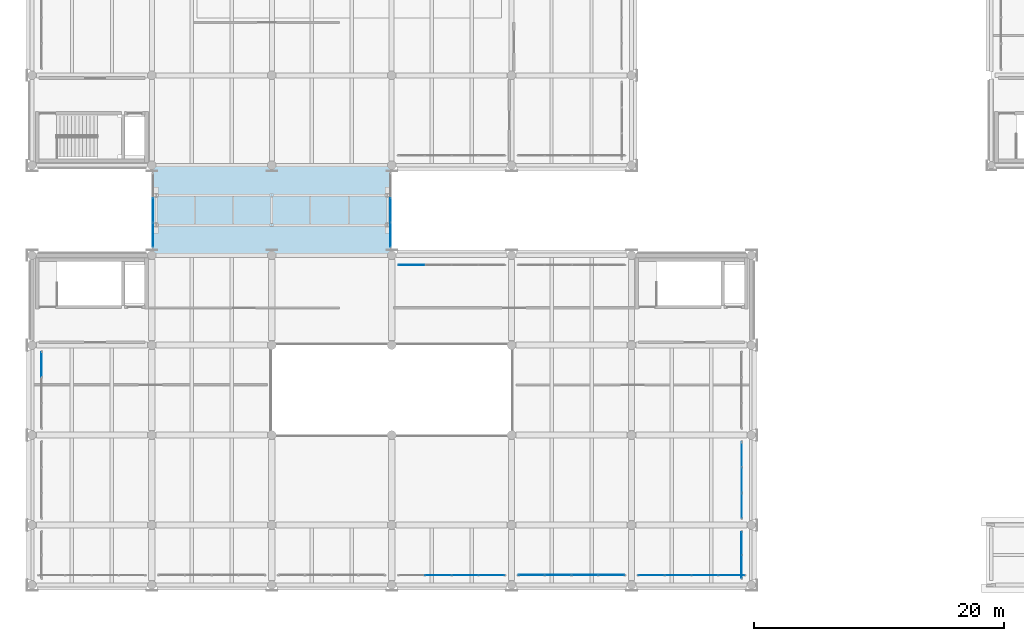
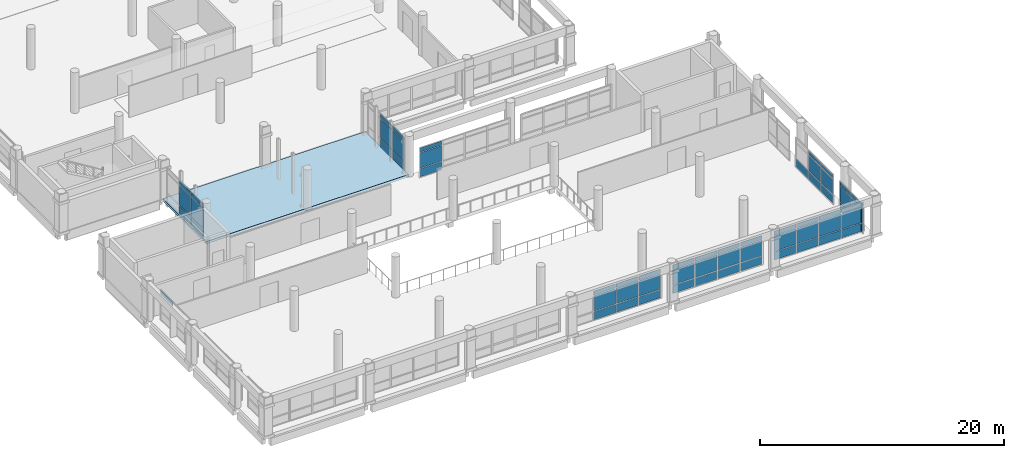
# One storey, part 121 of 180: 62 plates, 1 slab, 9 elements without a shape of their own.
"""IFC4 building model written with IfcOpenShell, lengths in metres."""

from ifc_helpers import new_model, si_unit, direction, frame, origin, origin_2d, place, context, subcontext, project, spatial, polyline, rectangle, outline, extrude, material, layer, layer_set, type_object, element, aggregate, save


model = new_model("IFC4")

# Units and contexts
model_context = context("Model", 3, precision=1e-05, world=origin(), true_north=direction((0.0, 1.0)))
body_context = subcontext(model_context, "Body", "Model", "MODEL_VIEW")
ifc_project = project(units=[si_unit("LENGTHUNIT", "METRE"), si_unit("AREAUNIT", "SQUARE_METRE"), si_unit("VOLUMEUNIT", "CUBIC_METRE"), si_unit("PLANEANGLEUNIT", "RADIAN"), si_unit("MASSUNIT", "GRAM", prefix="KILO")], contexts=[model_context])

# Site, building, storey
site_placement = place(None, origin())
site = spatial("IfcSite", under=ifc_project, at=site_placement, CompositionType="ELEMENT")
building_placement = place(site_placement, origin())
building = spatial("IfcBuilding", under=site, at=building_placement, Name="Asteropetra Specialist Clinic", CompositionType="ELEMENT")
storey_placement = place(building_placement, frame((0.0, 0.0, 4.419921875)))
storey = spatial("IfcBuildingStorey", under=building, at=storey_placement, Name="L01", CompositionType="ELEMENT", Elevation=4.419921875)

# Curtain wall, plates
ifc_material_1 = material(Name="Aluminium and low-E glass", Category="aluminium")
ifc_layer_1 = layer(ifc_material_1, 0.135009765625)
ifc_layer_set_1 = layer_set([ifc_layer_1], Name="Aluminium and low-E glass")
curtain_wall_type_1 = type_object("IfcCurtainWallType", Name="CW-SYS-09", PredefinedType="USERDEFINED", material=ifc_layer_set_1)
curtain_wall_1_placement = place(storey_placement, origin())
curtain_wall_1 = element("IfcCurtainWall", 1, at=curtain_wall_1_placement, inside=storey, type_object=curtain_wall_type_1, Name="Curtain Wall CW-136", ObjectType="STICK GLAZED COLONNADE", PredefinedType="USERDEFINED")
ifc_material_2 = material(Name="Low-E double glazing", Category="glass")
ifc_layer_2 = layer(ifc_material_2, 0.028076171875)
ifc_layer_set_2 = layer_set([ifc_layer_2], Name="Low-E double glazing")
plate_type_1 = type_object("IfcPlateType", Name="CWP-GLZ-28", PredefinedType="CURTAIN_PANEL", material=ifc_layer_set_2)
plate_1_placement = place(storey_placement, frame((32.527587890625, 0.780029296875, 0.06494140625), z_axis=(0.0, 0.0, 1.0), x_axis=(1.0, 0.0, 0.0)))
plate_1 = element("IfcPlate", 2, at=plate_1_placement, type_object=plate_type_1, Name="CW-136 panel 2.1", PredefinedType="CURTAIN_PANEL", context=body_context, shape_type="SweptSolid", body=[
    extrude(rectangle(XDim=2.080078125, YDim=0.028076171875, at=origin_2d()), origin(), (0.0, 0.0, 1.0), 0.802490234375),
])
plate_2_placement = place(storey_placement, frame((32.527587890625, 0.780029296875, 0.9326171875), z_axis=(0.0, 0.0, 1.0), x_axis=(1.0, 0.0, 0.0)))
plate_2 = element("IfcPlate", 3, at=plate_2_placement, type_object=plate_type_1, Name="CW-136 panel 2.2", PredefinedType="CURTAIN_PANEL", context=body_context, shape_type="SweptSolid", body=[
    extrude(rectangle(XDim=2.080078125, YDim=0.028076171875, at=origin_2d()), origin(), (0.0, 0.0, 1.0), 1.544921875),
])
plate_3_placement = place(storey_placement, frame((32.527587890625, 0.780029296875, 2.54248046875), z_axis=(0.0, 0.0, 1.0), x_axis=(1.0, 0.0, 0.0)))
plate_3 = element("IfcPlate", 4, at=plate_3_placement, type_object=plate_type_1, Name="CW-136 panel 2.3", PredefinedType="CURTAIN_PANEL", context=body_context, shape_type="SweptSolid", body=[
    extrude(rectangle(XDim=2.080078125, YDim=0.028076171875, at=origin_2d()), origin(), (0.0, 0.0, 1.0), 0.402587890625),
])
plate_4_placement = place(storey_placement, frame((34.672607421875, 0.780029296875, 0.06494140625), z_axis=(0.0, 0.0, 1.0), x_axis=(1.0, 0.0, 0.0)))
plate_4 = element("IfcPlate", 5, at=plate_4_placement, type_object=plate_type_1, Name="CW-136 panel 3.1", PredefinedType="CURTAIN_PANEL", context=body_context, shape_type="SweptSolid", body=[
    extrude(rectangle(XDim=2.080078125, YDim=0.028076171875, at=origin_2d()), origin(), (0.0, 0.0, 1.0), 0.802490234375),
])
plate_5_placement = place(storey_placement, frame((34.672607421875, 0.780029296875, 0.9326171875), z_axis=(0.0, 0.0, 1.0), x_axis=(1.0, 0.0, 0.0)))
plate_5 = element("IfcPlate", 6, at=plate_5_placement, type_object=plate_type_1, Name="CW-136 panel 3.2", PredefinedType="CURTAIN_PANEL", context=body_context, shape_type="SweptSolid", body=[
    extrude(rectangle(XDim=2.080078125, YDim=0.028076171875, at=origin_2d()), origin(), (0.0, 0.0, 1.0), 1.544921875),
])
plate_6_placement = place(storey_placement, frame((34.672607421875, 0.780029296875, 2.54248046875), z_axis=(0.0, 0.0, 1.0), x_axis=(1.0, 0.0, 0.0)))
plate_6 = element("IfcPlate", 7, at=plate_6_placement, type_object=plate_type_1, Name="CW-136 panel 3.3", PredefinedType="CURTAIN_PANEL", context=body_context, shape_type="SweptSolid", body=[
    extrude(rectangle(XDim=2.080078125, YDim=0.028076171875, at=origin_2d()), origin(), (0.0, 0.0, 1.0), 0.402587890625),
])
plate_7_placement = place(storey_placement, frame((36.80126953125, 0.780029296875, 0.06494140625), z_axis=(0.0, 0.0, 1.0), x_axis=(1.0, 0.0, 0.0)))
plate_7 = element("IfcPlate", 8, at=plate_7_placement, type_object=plate_type_1, Name="CW-136 panel 4.1", PredefinedType="CURTAIN_PANEL", context=body_context, shape_type="SweptSolid", body=[
    extrude(rectangle(XDim=2.047607421875, YDim=0.028076171875, at=origin_2d()), origin(), (0.0, 0.0, 1.0), 0.802490234375),
])
plate_8_placement = place(storey_placement, frame((36.80126953125, 0.780029296875, 0.9326171875), z_axis=(0.0, 0.0, 1.0), x_axis=(1.0, 0.0, 0.0)))
plate_8 = element("IfcPlate", 9, at=plate_8_placement, type_object=plate_type_1, Name="CW-136 panel 4.2", PredefinedType="CURTAIN_PANEL", context=body_context, shape_type="SweptSolid", body=[
    extrude(rectangle(XDim=2.047607421875, YDim=0.028076171875, at=origin_2d()), origin(), (0.0, 0.0, 1.0), 1.544921875),
])
plate_9_placement = place(storey_placement, frame((36.80126953125, 0.780029296875, 2.54248046875), z_axis=(0.0, 0.0, 1.0), x_axis=(1.0, 0.0, 0.0)))
plate_9 = element("IfcPlate", 10, at=plate_9_placement, type_object=plate_type_1, Name="CW-136 panel 4.3", PredefinedType="CURTAIN_PANEL", context=body_context, shape_type="SweptSolid", body=[
    extrude(rectangle(XDim=2.047607421875, YDim=0.028076171875, at=origin_2d()), origin(), (0.0, 0.0, 1.0), 0.402587890625),
])
aggregate(curtain_wall_1, [plate_1, plate_2, plate_3, plate_4, plate_5, plate_6, plate_7, plate_8, plate_9])

curtain_wall_2_placement = place(storey_placement, origin())
curtain_wall_2 = element("IfcCurtainWall", 11, at=curtain_wall_2_placement, inside=storey, type_object=curtain_wall_type_1, Name="Curtain Wall CW-140", ObjectType="STICK GLAZED COLONNADE", PredefinedType="USERDEFINED")
plate_10_placement = place(storey_placement, frame((49.597412109375, 0.780029296875, 0.06005859375), z_axis=(0.0, 0.0, 1.0), x_axis=(1.0, 0.0, 0.0)))
plate_10 = element("IfcPlate", 12, at=plate_10_placement, type_object=plate_type_1, Name="CW-140 panel 1.1", PredefinedType="CURTAIN_PANEL", context=body_context, shape_type="SweptSolid", body=[
    extrude(rectangle(XDim=2.054931640625, YDim=0.028076171875, at=origin_2d()), origin(), (0.0, 0.0, 1.0), 0.81005859375),
])
plate_11_placement = place(storey_placement, frame((49.597412109375, 0.780029296875, 0.93017578125), z_axis=(0.0, 0.0, 1.0), x_axis=(1.0, 0.0, 0.0)))
plate_11 = element("IfcPlate", 13, at=plate_11_placement, type_object=plate_type_1, Name="CW-140 panel 1.2", PredefinedType="CURTAIN_PANEL", context=body_context, shape_type="SweptSolid", body=[
    extrude(rectangle(XDim=2.054931640625, YDim=0.028076171875, at=origin_2d()), origin(), (0.0, 0.0, 1.0), 1.550048828125),
])
plate_12_placement = place(storey_placement, frame((49.597412109375, 0.780029296875, 2.5400390625), z_axis=(0.0, 0.0, 1.0), x_axis=(1.0, 0.0, 0.0)))
plate_12 = element("IfcPlate", 14, at=plate_12_placement, type_object=plate_type_1, Name="CW-140 panel 1.3", PredefinedType="CURTAIN_PANEL", context=body_context, shape_type="SweptSolid", body=[
    extrude(rectangle(XDim=2.054931640625, YDim=0.028076171875, at=origin_2d()), origin(), (0.0, 0.0, 1.0), 0.409912109375),
])
plate_13_placement = place(storey_placement, frame((51.7275390625, 0.780029296875, 0.06005859375), z_axis=(0.0, 0.0, 1.0), x_axis=(1.0, 0.0, 0.0)))
plate_13 = element("IfcPlate", 15, at=plate_13_placement, type_object=plate_type_1, Name="CW-140 panel 2.1", PredefinedType="CURTAIN_PANEL", context=body_context, shape_type="SweptSolid", body=[
    extrude(rectangle(XDim=2.0849609375, YDim=0.028076171875, at=origin_2d()), origin(), (0.0, 0.0, 1.0), 0.81005859375),
])
plate_14_placement = place(storey_placement, frame((51.7275390625, 0.780029296875, 0.93017578125), z_axis=(0.0, 0.0, 1.0), x_axis=(1.0, 0.0, 0.0)))
plate_14 = element("IfcPlate", 16, at=plate_14_placement, type_object=plate_type_1, Name="CW-140 panel 2.2", PredefinedType="CURTAIN_PANEL", context=body_context, shape_type="SweptSolid", body=[
    extrude(rectangle(XDim=2.0849609375, YDim=0.028076171875, at=origin_2d()), origin(), (0.0, 0.0, 1.0), 1.550048828125),
])
plate_15_placement = place(storey_placement, frame((51.7275390625, 0.780029296875, 2.5400390625), z_axis=(0.0, 0.0, 1.0), x_axis=(1.0, 0.0, 0.0)))
plate_15 = element("IfcPlate", 17, at=plate_15_placement, type_object=plate_type_1, Name="CW-140 panel 2.3", PredefinedType="CURTAIN_PANEL", context=body_context, shape_type="SweptSolid", body=[
    extrude(rectangle(XDim=2.0849609375, YDim=0.028076171875, at=origin_2d()), origin(), (0.0, 0.0, 1.0), 0.409912109375),
])
plate_16_placement = place(storey_placement, frame((53.87255859375, 0.780029296875, 0.06005859375), z_axis=(0.0, 0.0, 1.0), x_axis=(1.0, 0.0, 0.0)))
plate_16 = element("IfcPlate", 18, at=plate_16_placement, type_object=plate_type_1, Name="CW-140 panel 3.1", PredefinedType="CURTAIN_PANEL", context=body_context, shape_type="SweptSolid", body=[
    extrude(rectangle(XDim=2.0849609375, YDim=0.028076171875, at=origin_2d()), origin(), (0.0, 0.0, 1.0), 0.81005859375),
])
plate_17_placement = place(storey_placement, frame((53.87255859375, 0.780029296875, 0.93017578125), z_axis=(0.0, 0.0, 1.0), x_axis=(1.0, 0.0, 0.0)))
plate_17 = element("IfcPlate", 19, at=plate_17_placement, type_object=plate_type_1, Name="CW-140 panel 3.2", PredefinedType="CURTAIN_PANEL", context=body_context, shape_type="SweptSolid", body=[
    extrude(rectangle(XDim=2.0849609375, YDim=0.028076171875, at=origin_2d()), origin(), (0.0, 0.0, 1.0), 1.550048828125),
])
plate_18_placement = place(storey_placement, frame((53.87255859375, 0.780029296875, 2.5400390625), z_axis=(0.0, 0.0, 1.0), x_axis=(1.0, 0.0, 0.0)))
plate_18 = element("IfcPlate", 20, at=plate_18_placement, type_object=plate_type_1, Name="CW-140 panel 3.3", PredefinedType="CURTAIN_PANEL", context=body_context, shape_type="SweptSolid", body=[
    extrude(rectangle(XDim=2.0849609375, YDim=0.028076171875, at=origin_2d()), origin(), (0.0, 0.0, 1.0), 0.409912109375),
])
plate_19_placement = place(storey_placement, frame((56.00244140625, 0.780029296875, 0.06005859375), z_axis=(0.0, 0.0, 1.0), x_axis=(1.0, 0.0, 0.0)))
plate_19 = element("IfcPlate", 21, at=plate_19_placement, type_object=plate_type_1, Name="CW-140 panel 4.1", PredefinedType="CURTAIN_PANEL", context=body_context, shape_type="SweptSolid", body=[
    extrude(rectangle(XDim=2.054931640625, YDim=0.028076171875, at=origin_2d()), origin(), (0.0, 0.0, 1.0), 0.81005859375),
])
plate_20_placement = place(storey_placement, frame((56.00244140625, 0.780029296875, 0.93017578125), z_axis=(0.0, 0.0, 1.0), x_axis=(1.0, 0.0, 0.0)))
plate_20 = element("IfcPlate", 22, at=plate_20_placement, type_object=plate_type_1, Name="CW-140 panel 4.2", PredefinedType="CURTAIN_PANEL", context=body_context, shape_type="SweptSolid", body=[
    extrude(rectangle(XDim=2.054931640625, YDim=0.028076171875, at=origin_2d()), origin(), (0.0, 0.0, 1.0), 1.550048828125),
])
plate_21_placement = place(storey_placement, frame((56.00244140625, 0.780029296875, 2.5400390625), z_axis=(0.0, 0.0, 1.0), x_axis=(1.0, 0.0, 0.0)))
plate_21 = element("IfcPlate", 23, at=plate_21_placement, type_object=plate_type_1, Name="CW-140 panel 4.3", PredefinedType="CURTAIN_PANEL", context=body_context, shape_type="SweptSolid", body=[
    extrude(rectangle(XDim=2.054931640625, YDim=0.028076171875, at=origin_2d()), origin(), (0.0, 0.0, 1.0), 0.409912109375),
])
aggregate(curtain_wall_2, [plate_10, plate_11, plate_12, plate_13, plate_14, plate_15, plate_16, plate_17, plate_18, plate_19, plate_20, plate_21])

ifc_material_3 = material(Name="Aluminium and low-E glass", Category="aluminium")
ifc_layer_3 = layer(ifc_material_3, 0.179931640625)
ifc_layer_set_3 = layer_set([ifc_layer_3], Name="Aluminium and low-E glass")
curtain_wall_type_2 = type_object("IfcCurtainWallType", Name="CW-SYS-10", PredefinedType="USERDEFINED", material=ifc_layer_set_3)
curtain_wall_3_placement = place(storey_placement, origin())
curtain_wall_3 = element("IfcCurtainWall", 24, at=curtain_wall_3_placement, inside=storey, type_object=curtain_wall_type_2, Name="Curtain Wall CW-144", ObjectType="STICK GLAZED COLONNADE", PredefinedType="USERDEFINED")
plate_22_placement = place(storey_placement, frame((56.820068359375, 6.358642578125, 0.074951171875), z_axis=(0.0, 0.0, 1.0), x_axis=(0.0, 1.0, 0.0)))
plate_22 = element("IfcPlate", 25, at=plate_22_placement, type_object=plate_type_1, Name="CW-144 panel 1.1", PredefinedType="CURTAIN_PANEL", context=body_context, shape_type="SweptSolid", body=[
    extrude(rectangle(XDim=1.947509765625, YDim=0.028076171875, at=origin_2d()), origin(), (0.0, 0.0, 1.0), 0.78759765625),
])
plate_23_placement = place(storey_placement, frame((56.820068359375, 6.358642578125, 0.9375), z_axis=(0.0, 0.0, 1.0), x_axis=(0.0, 1.0, 0.0)))
plate_23 = element("IfcPlate", 26, at=plate_23_placement, type_object=plate_type_1, Name="CW-144 panel 1.2", PredefinedType="CURTAIN_PANEL", context=body_context, shape_type="SweptSolid", body=[
    extrude(rectangle(XDim=1.947509765625, YDim=0.028076171875, at=origin_2d()), origin(), (0.0, 0.0, 1.0), 1.534912109375),
])
plate_24_placement = place(storey_placement, frame((56.820068359375, 6.358642578125, 2.54736328125), z_axis=(0.0, 0.0, 1.0), x_axis=(0.0, 1.0, 0.0)))
plate_24 = element("IfcPlate", 27, at=plate_24_placement, type_object=plate_type_1, Name="CW-144 panel 1.3", PredefinedType="CURTAIN_PANEL", context=body_context, shape_type="SweptSolid", body=[
    extrude(rectangle(XDim=1.947509765625, YDim=0.028076171875, at=origin_2d()), origin(), (0.0, 0.0, 1.0), 0.387451171875),
])
plate_25_placement = place(storey_placement, frame((56.820068359375, 8.39990234375, 0.074951171875), z_axis=(0.0, 0.0, 1.0), x_axis=(0.0, 1.0, 0.0)))
plate_25 = element("IfcPlate", 28, at=plate_25_placement, type_object=plate_type_1, Name="CW-144 panel 2.1", PredefinedType="CURTAIN_PANEL", context=body_context, shape_type="SweptSolid", body=[
    extrude(rectangle(XDim=1.985107421875, YDim=0.028076171875, at=origin_2d()), origin(), (0.0, 0.0, 1.0), 0.78759765625),
])
plate_26_placement = place(storey_placement, frame((56.820068359375, 8.39990234375, 0.9375), z_axis=(0.0, 0.0, 1.0), x_axis=(0.0, 1.0, 0.0)))
plate_26 = element("IfcPlate", 29, at=plate_26_placement, type_object=plate_type_1, Name="CW-144 panel 2.2", PredefinedType="CURTAIN_PANEL", context=body_context, shape_type="SweptSolid", body=[
    extrude(rectangle(XDim=1.985107421875, YDim=0.028076171875, at=origin_2d()), origin(), (0.0, 0.0, 1.0), 1.534912109375),
])
plate_27_placement = place(storey_placement, frame((56.820068359375, 8.39990234375, 2.54736328125), z_axis=(0.0, 0.0, 1.0), x_axis=(0.0, 1.0, 0.0)))
plate_27 = element("IfcPlate", 30, at=plate_27_placement, type_object=plate_type_1, Name="CW-144 panel 2.3", PredefinedType="CURTAIN_PANEL", context=body_context, shape_type="SweptSolid", body=[
    extrude(rectangle(XDim=1.985107421875, YDim=0.028076171875, at=origin_2d()), origin(), (0.0, 0.0, 1.0), 0.387451171875),
])
plate_28_placement = place(storey_placement, frame((56.820068359375, 10.441162109375, 0.074951171875), z_axis=(0.0, 0.0, 1.0), x_axis=(0.0, 1.0, 0.0)))
plate_28 = element("IfcPlate", 31, at=plate_28_placement, type_object=plate_type_1, Name="CW-144 panel 3.1", PredefinedType="CURTAIN_PANEL", context=body_context, shape_type="SweptSolid", body=[
    extrude(rectangle(XDim=1.947509765625, YDim=0.028076171875, at=origin_2d()), origin(), (0.0, 0.0, 1.0), 0.78759765625),
])
aggregate(curtain_wall_3, [plate_22, plate_23, plate_24, plate_25, plate_26, plate_27, plate_28])

ifc_material_4 = material(Name="Aluminium and low-E glass", Category="aluminium")
ifc_layer_4 = layer(ifc_material_4, 0.179931640625)
ifc_layer_set_4 = layer_set([ifc_layer_4], Name="Aluminium and low-E glass")
curtain_wall_type_3 = type_object("IfcCurtainWallType", Name="CW-SYS-07", PredefinedType="USERDEFINED", material=ifc_layer_set_4)
curtain_wall_4_placement = place(storey_placement, origin())
curtain_wall_4 = element("IfcCurtainWall", 32, at=curtain_wall_4_placement, inside=storey, type_object=curtain_wall_type_3, Name="Curtain Wall CW-097", ObjectType="STICK GLAZED COLONNADE", PredefinedType="USERDEFINED")
ifc_material_5 = material(Name="Low-E acoustic double glazing", Category="glass")
ifc_layer_5 = layer(ifc_material_5, 0.031982421875)
ifc_layer_set_5 = layer_set([ifc_layer_5], Name="Low-E acoustic double glazing")
plate_type_2 = type_object("IfcPlateType", Name="CWP-GLZ-32", PredefinedType="CURTAIN_PANEL", material=ifc_layer_set_5)
plate_29_placement = place(storey_placement, frame((9.679931640625, 28.02294921875, 0.06494140625), z_axis=(0.0, 0.0, 1.0), x_axis=(0.0, 1.0, 0.0)))
plate_29 = element("IfcPlate", 33, at=plate_29_placement, type_object=plate_type_2, Name="CW-097 panel 1.1", PredefinedType="CURTAIN_PANEL", context=body_context, shape_type="SweptSolid", body=[
    extrude(rectangle(XDim=1.895751953125, YDim=0.031982421875, at=origin_2d()), origin(), (0.0, 0.0, 1.0), 0.802490234375),
])
plate_30_placement = place(storey_placement, frame((9.679931640625, 28.02294921875, 0.9326171875), z_axis=(0.0, 0.0, 1.0), x_axis=(0.0, 1.0, 0.0)))
plate_30 = element("IfcPlate", 34, at=plate_30_placement, type_object=plate_type_2, Name="CW-097 panel 1.2", PredefinedType="CURTAIN_PANEL", context=body_context, shape_type="SweptSolid", body=[
    extrude(rectangle(XDim=1.895751953125, YDim=0.031982421875, at=origin_2d()), origin(), (0.0, 0.0, 1.0), 1.965087890625),
])
plate_31_placement = place(storey_placement, frame((9.679931640625, 28.02294921875, 2.96240234375), z_axis=(0.0, 0.0, 1.0), x_axis=(0.0, 1.0, 0.0)))
plate_31 = element("IfcPlate", 35, at=plate_31_placement, type_object=plate_type_2, Name="CW-097 panel 1.3", PredefinedType="CURTAIN_PANEL", context=body_context, shape_type="SweptSolid", body=[
    extrude(rectangle(XDim=1.895751953125, YDim=0.031982421875, at=origin_2d()), origin(), (0.0, 0.0, 1.0), 0.402587890625),
])
plate_32_placement = place(storey_placement, frame((9.679931640625, 30.0, 0.06494140625), z_axis=(0.0, 0.0, 1.0), x_axis=(0.0, 1.0, 0.0)))
plate_32 = element("IfcPlate", 36, at=plate_32_placement, type_object=plate_type_2, Name="CW-097 panel 2.1", PredefinedType="CURTAIN_PANEL", context=body_context, shape_type="SweptSolid", body=[
    extrude(rectangle(XDim=1.92822265625, YDim=0.031982421875, at=origin_2d()), origin(), (0.0, 0.0, 1.0), 0.802490234375),
])
plate_33_placement = place(storey_placement, frame((9.679931640625, 30.0, 0.9326171875), z_axis=(0.0, 0.0, 1.0), x_axis=(0.0, 1.0, 0.0)))
plate_33 = element("IfcPlate", 37, at=plate_33_placement, type_object=plate_type_2, Name="CW-097 panel 2.2", PredefinedType="CURTAIN_PANEL", context=body_context, shape_type="SweptSolid", body=[
    extrude(rectangle(XDim=1.92822265625, YDim=0.031982421875, at=origin_2d()), origin(), (0.0, 0.0, 1.0), 1.965087890625),
])
plate_34_placement = place(storey_placement, frame((9.679931640625, 30.0, 2.96240234375), z_axis=(0.0, 0.0, 1.0), x_axis=(0.0, 1.0, 0.0)))
plate_34 = element("IfcPlate", 38, at=plate_34_placement, type_object=plate_type_2, Name="CW-097 panel 2.3", PredefinedType="CURTAIN_PANEL", context=body_context, shape_type="SweptSolid", body=[
    extrude(rectangle(XDim=1.92822265625, YDim=0.031982421875, at=origin_2d()), origin(), (0.0, 0.0, 1.0), 0.402587890625),
])
aggregate(curtain_wall_4, [plate_29, plate_30, plate_31, plate_32, plate_33, plate_34])

curtain_wall_5_placement = place(storey_placement, origin())
curtain_wall_5 = element("IfcCurtainWall", 39, at=curtain_wall_5_placement, inside=storey, type_object=curtain_wall_type_1, Name="Curtain Wall CW-137", ObjectType="STICK GLAZED COLONNADE", PredefinedType="USERDEFINED")
plate_35_placement = place(storey_placement, frame((30.3974609375, 25.6201171875, 0.06005859375), z_axis=(0.0, 0.0, 1.0), x_axis=(-1.0, 0.0, 0.0)))
plate_35 = element("IfcPlate", 40, at=plate_35_placement, type_object=plate_type_2, Name="CW-137 panel 4.1", PredefinedType="CURTAIN_PANEL", context=body_context, shape_type="SweptSolid", body=[
    extrude(rectangle(XDim=2.054931640625, YDim=0.031982421875, at=origin_2d()), origin(), (0.0, 0.0, 1.0), 0.81005859375),
])
plate_36_placement = place(storey_placement, frame((30.3974609375, 25.6201171875, 0.93017578125), z_axis=(0.0, 0.0, 1.0), x_axis=(-1.0, 0.0, 0.0)))
plate_36 = element("IfcPlate", 41, at=plate_36_placement, type_object=plate_type_2, Name="CW-137 panel 4.2", PredefinedType="CURTAIN_PANEL", context=body_context, shape_type="SweptSolid", body=[
    extrude(rectangle(XDim=2.054931640625, YDim=0.031982421875, at=origin_2d()), origin(), (0.0, 0.0, 1.0), 1.550048828125),
])
plate_37_placement = place(storey_placement, frame((30.3974609375, 25.6201171875, 2.5400390625), z_axis=(0.0, 0.0, 1.0), x_axis=(-1.0, 0.0, 0.0)))
plate_37 = element("IfcPlate", 42, at=plate_37_placement, type_object=plate_type_2, Name="CW-137 panel 4.3", PredefinedType="CURTAIN_PANEL", context=body_context, shape_type="SweptSolid", body=[
    extrude(rectangle(XDim=2.054931640625, YDim=0.031982421875, at=origin_2d()), origin(), (0.0, 0.0, 1.0), 0.409912109375),
])
aggregate(curtain_wall_5, [plate_35, plate_36, plate_37])

# Curtain wall, plate
curtain_wall_6_placement = place(storey_placement, origin())
curtain_wall_6 = element("IfcCurtainWall", 43, at=curtain_wall_6_placement, inside=storey, type_object=curtain_wall_type_2, Name="Curtain Wall CW-145", ObjectType="STICK GLAZED COLONNADE", PredefinedType="USERDEFINED")
plate_38_placement = place(storey_placement, frame((0.780029296875, 17.643798828125, 2.54248046875), z_axis=(0.0, 0.0, 1.0), x_axis=(0.0, -1.0, 0.0)))
plate_38 = element("IfcPlate", 44, at=plate_38_placement, type_object=plate_type_2, Name="CW-145 panel 1.3", PredefinedType="CURTAIN_PANEL", context=body_context, shape_type="SweptSolid", body=[
    extrude(rectangle(XDim=1.96240234375, YDim=0.031982421875, at=origin_2d()), origin(), (0.0, 0.0, 1.0), 0.402587890625),
])
aggregate(curtain_wall_6, [plate_38])

# Curtain wall, plates
ifc_material_6 = material(Name="Aluminium and low-E glass", Category="aluminium")
ifc_layer_6 = layer(ifc_material_6, 0.14990234375)
ifc_layer_set_6 = layer_set([ifc_layer_6], Name="Aluminium and low-E glass")
curtain_wall_type_4 = type_object("IfcCurtainWallType", Name="CW-SYS-08", PredefinedType="USERDEFINED", material=ifc_layer_set_6)
curtain_wall_7_placement = place(storey_placement, origin())
curtain_wall_7 = element("IfcCurtainWall", 45, at=curtain_wall_7_placement, inside=storey, type_object=curtain_wall_type_4, Name="Curtain Wall CW-098", ObjectType="STICK GLAZED COLONNADE", PredefinedType="USERDEFINED")
ifc_material_7 = material(Name="Solar-control triple glazing", Category="glass")
ifc_layer_7 = layer(ifc_material_7, 0.035888671875)
ifc_layer_set_7 = layer_set([ifc_layer_7], Name="Solar-control triple glazing")
plate_type_3 = type_object("IfcPlateType", Name="CWP-GLZ-36", PredefinedType="CURTAIN_PANEL", material=ifc_layer_set_7)
plate_39_placement = place(storey_placement, frame((28.719970703125, 30.0, 0.06005859375), z_axis=(0.0, 0.0, 1.0), x_axis=(0.0, -1.0, 0.0)))
plate_39 = element("IfcPlate", 46, at=plate_39_placement, type_object=plate_type_3, Name="CW-098 panel 2.1", PredefinedType="CURTAIN_PANEL", context=body_context, shape_type="SweptSolid", body=[
    extrude(rectangle(XDim=1.933349609375, YDim=0.035888671875, at=origin_2d()), origin(), (0.0, 0.0, 1.0), 0.81005859375),
])
plate_40_placement = place(storey_placement, frame((28.719970703125, 30.0, 0.93017578125), z_axis=(0.0, 0.0, 1.0), x_axis=(0.0, -1.0, 0.0)))
plate_40 = element("IfcPlate", 47, at=plate_40_placement, type_object=plate_type_3, Name="CW-098 panel 2.2", PredefinedType="CURTAIN_PANEL", context=body_context, shape_type="SweptSolid", body=[
    extrude(rectangle(XDim=1.933349609375, YDim=0.035888671875, at=origin_2d()), origin(), (0.0, 0.0, 1.0), 1.969970703125),
])
plate_41_placement = place(storey_placement, frame((28.719970703125, 30.0, 2.9599609375), z_axis=(0.0, 0.0, 1.0), x_axis=(0.0, -1.0, 0.0)))
plate_41 = element("IfcPlate", 48, at=plate_41_placement, type_object=plate_type_3, Name="CW-098 panel 2.3", PredefinedType="CURTAIN_PANEL", context=body_context, shape_type="SweptSolid", body=[
    extrude(rectangle(XDim=1.933349609375, YDim=0.035888671875, at=origin_2d()), origin(), (0.0, 0.0, 1.0), 0.409912109375),
])
plate_42_placement = place(storey_placement, frame((28.719970703125, 28.021728515625, 0.06005859375), z_axis=(0.0, 0.0, 1.0), x_axis=(0.0, -1.0, 0.0)))
plate_42 = element("IfcPlate", 49, at=plate_42_placement, type_object=plate_type_3, Name="CW-098 panel 3.1", PredefinedType="CURTAIN_PANEL", context=body_context, shape_type="SweptSolid", body=[
    extrude(rectangle(XDim=1.9033203125, YDim=0.035888671875, at=origin_2d()), origin(), (0.0, 0.0, 1.0), 0.81005859375),
])
plate_43_placement = place(storey_placement, frame((28.719970703125, 28.021728515625, 0.93017578125), z_axis=(0.0, 0.0, 1.0), x_axis=(0.0, -1.0, 0.0)))
plate_43 = element("IfcPlate", 50, at=plate_43_placement, type_object=plate_type_3, Name="CW-098 panel 3.2", PredefinedType="CURTAIN_PANEL", context=body_context, shape_type="SweptSolid", body=[
    extrude(rectangle(XDim=1.9033203125, YDim=0.035888671875, at=origin_2d()), origin(), (0.0, 0.0, 1.0), 1.969970703125),
])
plate_44_placement = place(storey_placement, frame((28.719970703125, 28.021728515625, 2.9599609375), z_axis=(0.0, 0.0, 1.0), x_axis=(0.0, -1.0, 0.0)))
plate_44 = element("IfcPlate", 51, at=plate_44_placement, type_object=plate_type_3, Name="CW-098 panel 3.3", PredefinedType="CURTAIN_PANEL", context=body_context, shape_type="SweptSolid", body=[
    extrude(rectangle(XDim=1.9033203125, YDim=0.035888671875, at=origin_2d()), origin(), (0.0, 0.0, 1.0), 0.409912109375),
])
aggregate(curtain_wall_7, [plate_39, plate_40, plate_41, plate_42, plate_43, plate_44])

ifc_material_8 = material(Name="Aluminium and low-E glass", Category="aluminium")
ifc_layer_8 = layer(ifc_material_8, 0.14990234375)
ifc_layer_set_8 = layer_set([ifc_layer_8], Name="Aluminium and low-E glass")
curtain_wall_type_5 = type_object("IfcCurtainWallType", Name="CW-SYS-11", PredefinedType="USERDEFINED", material=ifc_layer_set_8)
curtain_wall_8_placement = place(storey_placement, origin())
curtain_wall_8 = element("IfcCurtainWall", 52, at=curtain_wall_8_placement, inside=storey, type_object=curtain_wall_type_5, Name="Curtain Wall CW-138", ObjectType="STICK GLAZED COLONNADE", PredefinedType="USERDEFINED")
plate_45_placement = place(storey_placement, frame((40.001220703125, 0.780029296875, 0.074951171875), z_axis=(0.0, 0.0, 1.0), x_axis=(1.0, 0.0, 0.0)))
plate_45 = element("IfcPlate", 53, at=plate_45_placement, type_object=plate_type_3, Name="CW-138 panel 1.1", PredefinedType="CURTAIN_PANEL", context=body_context, shape_type="SweptSolid", body=[
    extrude(rectangle(XDim=2.032470703125, YDim=0.035888671875, at=origin_2d()), origin(), (0.0, 0.0, 1.0), 0.78759765625),
])
plate_46_placement = place(storey_placement, frame((40.001220703125, 0.780029296875, 0.9375), z_axis=(0.0, 0.0, 1.0), x_axis=(1.0, 0.0, 0.0)))
plate_46 = element("IfcPlate", 54, at=plate_46_placement, type_object=plate_type_3, Name="CW-138 panel 1.2", PredefinedType="CURTAIN_PANEL", context=body_context, shape_type="SweptSolid", body=[
    extrude(rectangle(XDim=2.032470703125, YDim=0.035888671875, at=origin_2d()), origin(), (0.0, 0.0, 1.0), 1.534912109375),
])
plate_47_placement = place(storey_placement, frame((40.001220703125, 0.780029296875, 2.54736328125), z_axis=(0.0, 0.0, 1.0), x_axis=(1.0, 0.0, 0.0)))
plate_47 = element("IfcPlate", 55, at=plate_47_placement, type_object=plate_type_3, Name="CW-138 panel 1.3", PredefinedType="CURTAIN_PANEL", context=body_context, shape_type="SweptSolid", body=[
    extrude(rectangle(XDim=2.032470703125, YDim=0.035888671875, at=origin_2d()), origin(), (0.0, 0.0, 1.0), 0.387451171875),
])
plate_48_placement = place(storey_placement, frame((42.12744140625, 0.780029296875, 0.074951171875), z_axis=(0.0, 0.0, 1.0), x_axis=(1.0, 0.0, 0.0)))
plate_48 = element("IfcPlate", 56, at=plate_48_placement, type_object=plate_type_3, Name="CW-138 panel 2.1", PredefinedType="CURTAIN_PANEL", context=body_context, shape_type="SweptSolid", body=[
    extrude(rectangle(XDim=2.070068359375, YDim=0.035888671875, at=origin_2d()), origin(), (0.0, 0.0, 1.0), 0.78759765625),
])
plate_49_placement = place(storey_placement, frame((42.12744140625, 0.780029296875, 0.9375), z_axis=(0.0, 0.0, 1.0), x_axis=(1.0, 0.0, 0.0)))
plate_49 = element("IfcPlate", 57, at=plate_49_placement, type_object=plate_type_3, Name="CW-138 panel 2.2", PredefinedType="CURTAIN_PANEL", context=body_context, shape_type="SweptSolid", body=[
    extrude(rectangle(XDim=2.070068359375, YDim=0.035888671875, at=origin_2d()), origin(), (0.0, 0.0, 1.0), 1.534912109375),
])
plate_50_placement = place(storey_placement, frame((42.12744140625, 0.780029296875, 2.54736328125), z_axis=(0.0, 0.0, 1.0), x_axis=(1.0, 0.0, 0.0)))
plate_50 = element("IfcPlate", 58, at=plate_50_placement, type_object=plate_type_3, Name="CW-138 panel 2.3", PredefinedType="CURTAIN_PANEL", context=body_context, shape_type="SweptSolid", body=[
    extrude(rectangle(XDim=2.070068359375, YDim=0.035888671875, at=origin_2d()), origin(), (0.0, 0.0, 1.0), 0.387451171875),
])
plate_51_placement = place(storey_placement, frame((44.2724609375, 0.780029296875, 0.074951171875), z_axis=(0.0, 0.0, 1.0), x_axis=(1.0, 0.0, 0.0)))
plate_51 = element("IfcPlate", 59, at=plate_51_placement, type_object=plate_type_3, Name="CW-138 panel 3.1", PredefinedType="CURTAIN_PANEL", context=body_context, shape_type="SweptSolid", body=[
    extrude(rectangle(XDim=2.070068359375, YDim=0.035888671875, at=origin_2d()), origin(), (0.0, 0.0, 1.0), 0.78759765625),
])
plate_52_placement = place(storey_placement, frame((44.2724609375, 0.780029296875, 0.9375), z_axis=(0.0, 0.0, 1.0), x_axis=(1.0, 0.0, 0.0)))
plate_52 = element("IfcPlate", 60, at=plate_52_placement, type_object=plate_type_3, Name="CW-138 panel 3.2", PredefinedType="CURTAIN_PANEL", context=body_context, shape_type="SweptSolid", body=[
    extrude(rectangle(XDim=2.070068359375, YDim=0.035888671875, at=origin_2d()), origin(), (0.0, 0.0, 1.0), 1.534912109375),
])
plate_53_placement = place(storey_placement, frame((44.2724609375, 0.780029296875, 2.54736328125), z_axis=(0.0, 0.0, 1.0), x_axis=(1.0, 0.0, 0.0)))
plate_53 = element("IfcPlate", 61, at=plate_53_placement, type_object=plate_type_3, Name="CW-138 panel 3.3", PredefinedType="CURTAIN_PANEL", context=body_context, shape_type="SweptSolid", body=[
    extrude(rectangle(XDim=2.070068359375, YDim=0.035888671875, at=origin_2d()), origin(), (0.0, 0.0, 1.0), 0.387451171875),
])
plate_54_placement = place(storey_placement, frame((46.398681640625, 0.780029296875, 0.074951171875), z_axis=(0.0, 0.0, 1.0), x_axis=(1.0, 0.0, 0.0)))
plate_54 = element("IfcPlate", 62, at=plate_54_placement, type_object=plate_type_3, Name="CW-138 panel 4.1", PredefinedType="CURTAIN_PANEL", context=body_context, shape_type="SweptSolid", body=[
    extrude(rectangle(XDim=2.032470703125, YDim=0.035888671875, at=origin_2d()), origin(), (0.0, 0.0, 1.0), 0.78759765625),
])
plate_55_placement = place(storey_placement, frame((46.398681640625, 0.780029296875, 0.9375), z_axis=(0.0, 0.0, 1.0), x_axis=(1.0, 0.0, 0.0)))
plate_55 = element("IfcPlate", 63, at=plate_55_placement, type_object=plate_type_3, Name="CW-138 panel 4.2", PredefinedType="CURTAIN_PANEL", context=body_context, shape_type="SweptSolid", body=[
    extrude(rectangle(XDim=2.032470703125, YDim=0.035888671875, at=origin_2d()), origin(), (0.0, 0.0, 1.0), 1.534912109375),
])
plate_56_placement = place(storey_placement, frame((46.398681640625, 0.780029296875, 2.54736328125), z_axis=(0.0, 0.0, 1.0), x_axis=(1.0, 0.0, 0.0)))
plate_56 = element("IfcPlate", 64, at=plate_56_placement, type_object=plate_type_3, Name="CW-138 panel 4.3", PredefinedType="CURTAIN_PANEL", context=body_context, shape_type="SweptSolid", body=[
    extrude(rectangle(XDim=2.032470703125, YDim=0.035888671875, at=origin_2d()), origin(), (0.0, 0.0, 1.0), 0.387451171875),
])
aggregate(curtain_wall_8, [plate_45, plate_46, plate_47, plate_48, plate_49, plate_50, plate_51, plate_52, plate_53, plate_54, plate_55, plate_56])

curtain_wall_9_placement = place(storey_placement, origin())
curtain_wall_9 = element("IfcCurtainWall", 65, at=curtain_wall_9_placement, inside=storey, type_object=curtain_wall_type_2, Name="Curtain Wall CW-142", ObjectType="STICK GLAZED COLONNADE", PredefinedType="USERDEFINED")
plate_57_placement = place(storey_placement, frame((56.820068359375, 1.47119140625, 0.06494140625), z_axis=(0.0, 0.0, 1.0), x_axis=(0.0, 1.0, 0.0)))
plate_57 = element("IfcPlate", 66, at=plate_57_placement, type_object=plate_type_3, Name="CW-142 panel 1.1", PredefinedType="CURTAIN_PANEL", context=body_context, shape_type="SweptSolid", body=[
    extrude(rectangle(XDim=1.79248046875, YDim=0.035888671875, at=origin_2d()), origin(), (0.0, 0.0, 1.0), 0.802490234375),
])
plate_58_placement = place(storey_placement, frame((56.820068359375, 1.47119140625, 0.9326171875), z_axis=(0.0, 0.0, 1.0), x_axis=(0.0, 1.0, 0.0)))
plate_58 = element("IfcPlate", 67, at=plate_58_placement, type_object=plate_type_3, Name="CW-142 panel 1.2", PredefinedType="CURTAIN_PANEL", context=body_context, shape_type="SweptSolid", body=[
    extrude(rectangle(XDim=1.79248046875, YDim=0.035888671875, at=origin_2d()), origin(), (0.0, 0.0, 1.0), 1.544921875),
])
plate_59_placement = place(storey_placement, frame((56.820068359375, 1.47119140625, 2.54248046875), z_axis=(0.0, 0.0, 1.0), x_axis=(0.0, 1.0, 0.0)))
plate_59 = element("IfcPlate", 68, at=plate_59_placement, type_object=plate_type_3, Name="CW-142 panel 1.3", PredefinedType="CURTAIN_PANEL", context=body_context, shape_type="SweptSolid", body=[
    extrude(rectangle(XDim=1.79248046875, YDim=0.035888671875, at=origin_2d()), origin(), (0.0, 0.0, 1.0), 0.402587890625),
])
plate_60_placement = place(storey_placement, frame((56.820068359375, 3.328857421875, 0.06494140625), z_axis=(0.0, 0.0, 1.0), x_axis=(0.0, 1.0, 0.0)))
plate_60 = element("IfcPlate", 69, at=plate_60_placement, type_object=plate_type_3, Name="CW-142 panel 2.1", PredefinedType="CURTAIN_PANEL", context=body_context, shape_type="SweptSolid", body=[
    extrude(rectangle(XDim=1.79248046875, YDim=0.035888671875, at=origin_2d()), origin(), (0.0, 0.0, 1.0), 0.802490234375),
])
plate_61_placement = place(storey_placement, frame((56.820068359375, 3.328857421875, 0.9326171875), z_axis=(0.0, 0.0, 1.0), x_axis=(0.0, 1.0, 0.0)))
plate_61 = element("IfcPlate", 70, at=plate_61_placement, type_object=plate_type_3, Name="CW-142 panel 2.2", PredefinedType="CURTAIN_PANEL", context=body_context, shape_type="SweptSolid", body=[
    extrude(rectangle(XDim=1.79248046875, YDim=0.035888671875, at=origin_2d()), origin(), (0.0, 0.0, 1.0), 1.544921875),
])
plate_62_placement = place(storey_placement, frame((56.820068359375, 3.328857421875, 2.54248046875), z_axis=(0.0, 0.0, 1.0), x_axis=(0.0, 1.0, 0.0)))
plate_62 = element("IfcPlate", 71, at=plate_62_placement, type_object=plate_type_3, Name="CW-142 panel 2.3", PredefinedType="CURTAIN_PANEL", context=body_context, shape_type="SweptSolid", body=[
    extrude(rectangle(XDim=1.79248046875, YDim=0.035888671875, at=origin_2d()), origin(), (0.0, 0.0, 1.0), 0.402587890625),
])
aggregate(curtain_wall_9, [plate_57, plate_58, plate_59, plate_60, plate_61, plate_62])

# Slab
ifc_material_9 = material(Name="Concrete C35/45", Category="concrete")
ifc_layer_9 = layer(ifc_material_9, 0.239990234375)
ifc_layer_set_9 = layer_set([ifc_layer_9], Name="Concrete C35/45")
slab_type = type_object("IfcSlabType", Name="SLB-FLR-240", PredefinedType="FLOOR", material=ifc_layer_set_9)
slab_placement = place(storey_placement, frame((0.0, 0.0, -0.239990234375)))
element("IfcSlab", 72, at=slab_placement, inside=storey, type_object=slab_type, Name="Slab LP1 L01", PredefinedType="FLOOR", context=body_context, shape_type="SweptSolid", body=[
    extrude(outline(polyline([(9.60009765625, 26.43994140625), (28.800048828125, 26.43994140625), (28.800048828125, 33.56005859375), (9.60009765625, 33.56005859375), (9.60009765625, 26.43994140625)])), origin(), (0.0, 0.0, 1.0), 0.239990234375),
])

save(model, "model.ifc")
